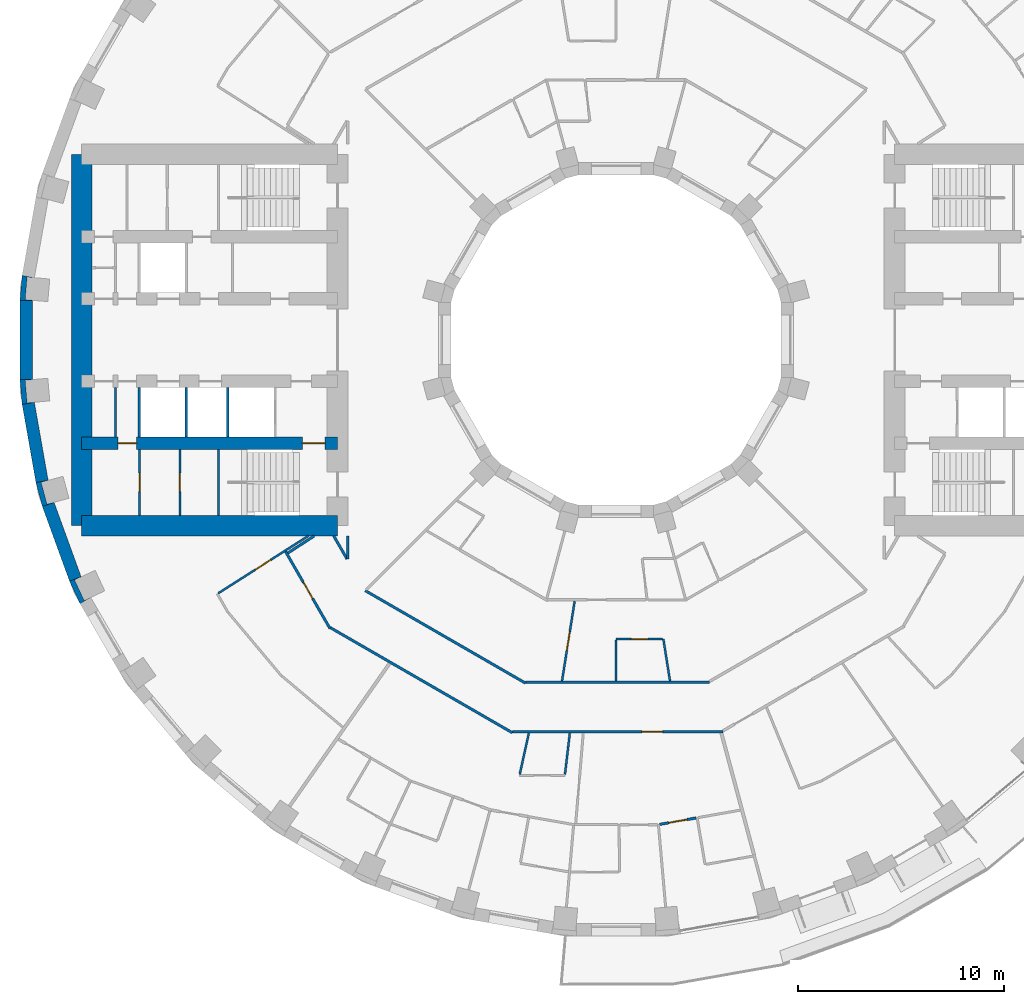
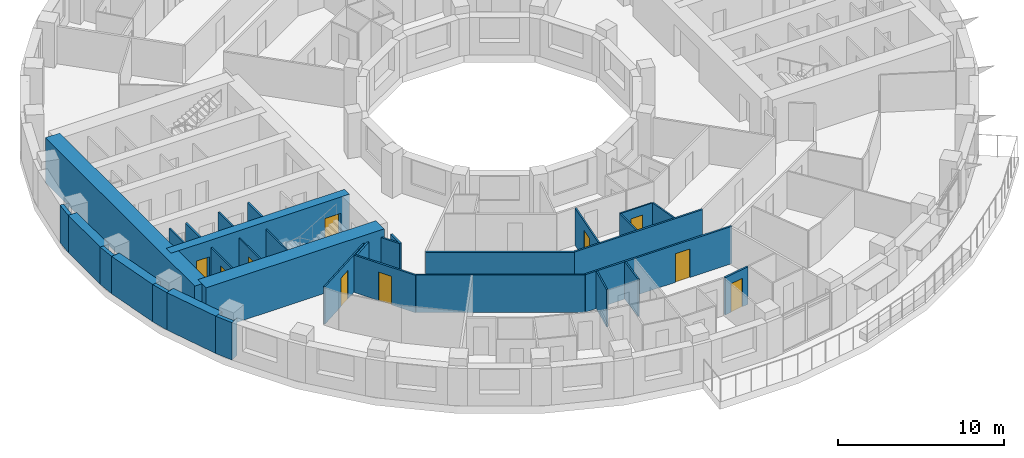
# One storey, part 6 of 16: 33 walls, 10 doors, 10 openings.
"""IFC4 building model written with IfcOpenShell, lengths in metres."""

from ifc_helpers import new_model, si_unit, direction, frame, frame_2d, origin, place, context, subcontext, project, spatial, polyline, rectangle, outline, extrude, material, layer, layer_set, type_object, element, fill, save


model = new_model("IFC4")

# Units and contexts
model_context = context("Model", 3, precision=1e-05, world=origin(), true_north=direction((0.0, 1.0)))
body_context = subcontext(model_context, "Body", "Model", "MODEL_VIEW")
ifc_project = project(units=[si_unit("LENGTHUNIT", "METRE"), si_unit("AREAUNIT", "SQUARE_METRE"), si_unit("VOLUMEUNIT", "CUBIC_METRE"), si_unit("PLANEANGLEUNIT", "RADIAN"), si_unit("MASSUNIT", "GRAM", prefix="KILO")], contexts=[model_context])

# Site, building, storey
site_placement = place(None, origin())
site = spatial("IfcSite", under=ifc_project, at=site_placement, CompositionType="ELEMENT")
building_placement = place(site_placement, origin())
building = spatial("IfcBuilding", under=site, at=building_placement, Name="Saqina Gate Tower", CompositionType="ELEMENT")
storey_placement = place(building_placement, frame((0.0, 0.0, 32.89990234375)))
storey = spatial("IfcBuildingStorey", under=building, at=storey_placement, Name="L08", CompositionType="ELEMENT", Elevation=32.89990234375)

# Walls
ifc_material_1 = material(Name="Brick masonry (red)", Category="masonry")
wall_type_1 = type_object("IfcWallType", Name="BRICK PIER COPING RED", PredefinedType="SOLIDWALL", material=ifc_material_1)
wall_1_placement = place(storey_placement, origin())
element("IfcWall", 1, at=wall_1_placement, inside=storey, type_object=wall_type_1, Name="Pier cap L08 column 18", PredefinedType="SOLIDWALL", context=body_context, shape_type="SweptSolid", body=[
    extrude(outline(polyline([(-28.78466796875, 3.122802734375), (-28.8896484375, 1.9228515625), (-28.28955078125, 1.9228515625), (-28.638671875, 1.95361328125), (-28.54296875, 3.04931640625), (-28.19384765625, 3.018798828125), (-28.78466796875, 3.122802734375)])), origin(), (0.0, 0.0, 1.0), 2.75),
])
wall_2_placement = place(storey_placement, origin())
element("IfcWall", 2, at=wall_2_placement, inside=storey, type_object=wall_type_1, Name="Pier cap L08 column 19", PredefinedType="SOLIDWALL", context=body_context, shape_type="SweptSolid", body=[
    extrude(outline(polyline([(-28.8896484375, -1.9228515625), (-28.78466796875, -3.122802734375), (-28.19384765625, -3.018798828125), (-28.54296875, -3.04931640625), (-28.638671875, -1.95361328125), (-28.28955078125, -1.9228515625), (-28.8896484375, -1.9228515625)])), origin(), (0.0, 0.0, 1.0), 2.75),
])
wall_3_placement = place(storey_placement, origin())
element("IfcWall", 3, at=wall_3_placement, inside=storey, type_object=wall_type_1, Name="Pier cap L08 column 20", PredefinedType="SOLIDWALL", context=body_context, shape_type="SweptSolid", body=[
    extrude(outline(polyline([(-28.11669921875, -6.910400390625), (-27.80517578125, -8.073974609375), (-27.2412109375, -7.86865234375), (-27.57958984375, -7.95947265625), (-27.864501953125, -6.896728515625), (-27.52587890625, -6.80615234375), (-28.11669921875, -6.910400390625)])), origin(), (0.0, 0.0, 1.0), 2.75),
])
wall_4_placement = place(storey_placement, origin())
element("IfcWall", 4, at=wall_4_placement, inside=storey, type_object=wall_type_1, Name="Pier cap L08 column 21", PredefinedType="SOLIDWALL", context=body_context, shape_type="SweptSolid", body=[
    extrude(outline(polyline([(-25.980712890625, -12.779541015625), (-25.4609375, -12.4794921875), (-25.778564453125, -12.627685546875), (-26.243408203125, -11.630615234375), (-25.92578125, -11.482666015625), (-26.48974609375, -11.687744140625), (-25.980712890625, -12.779541015625)])), origin(), (0.0, 0.0, 1.0), 2.75),
])
ifc_material_2 = material(Name="Gypsum board on steel studs", Category="steel")
ifc_layer_1 = layer(ifc_material_2, 0.10009765625)
ifc_layer_set_1 = layer_set([ifc_layer_1], Name="CORE PARTITION")
wall_type_2 = type_object("IfcWallType", Name="CORE PARTITION", PredefinedType="PARTITIONING", material=ifc_layer_set_1)
wall_5_placement = place(storey_placement, frame((-24.260009765625, -4.699951171875, 0.0), z_axis=(0.0, 0.0, 1.0), x_axis=(0.0, 1.0, 0.0)))
element("IfcWall", 5, at=wall_5_placement, inside=storey, type_object=wall_type_2, Name="L08-CP-W09", PredefinedType="PARTITIONING", context=body_context, shape_type="SweptSolid", body=[
    extrude(rectangle(XDim=2.39990234375, YDim=0.10009765625, at=frame_2d((1.199951171875, 0.0))), origin(), (0.0, 0.0, 1.0), 2.75),
])

# Wall, opening, door
wall_6_placement = place(storey_placement, frame((-21.14404296875, -8.5, 0.0), z_axis=(0.0, 0.0, 1.0), x_axis=(0.0, 1.0, 0.0)))
wall_6 = element("IfcWall", 6, at=wall_6_placement, inside=storey, type_object=wall_type_2, Name="L08-CP-W15", PredefinedType="PARTITIONING", context=body_context, shape_type="SweptSolid", body=[
    extrude(rectangle(XDim=3.199951171875, YDim=0.10009765625, at=frame_2d((1.60009765625, 0.0))), origin(), (0.0, 0.0, 1.0), 2.75),
])
opening_1_placement = place(wall_6_placement, frame((1.14990234375, 0.0, 0.0)))
opening_1 = element("IfcOpeningElement", 7, at=opening_1_placement, cuts=wall_6, Name="Opening G01-D134", PredefinedType="OPENING", context=body_context, shape_type="SweptSolid", body=[
    extrude(rectangle(XDim=0.89990234375, YDim=2.10009765625, at=frame_2d((0.449951171875, 1.050048828125))), frame((0.0, 0.06201171875, 0.0), z_axis=(0.0, -1.0, 0.0), x_axis=(1.0, 0.0, 0.0)), (0.0, 0.0, 1.0), 0.1240234375),
])
ifc_material_3 = material(Name="Steel-framed fire door leaf, EI 60", Category="steel")
door_type_1 = type_object("IfcDoorType", Name="SERVICE ROOM DOOR 900", OperationType="SINGLE_SWING_LEFT", PredefinedType="DOOR", material=ifc_material_3)
door_1_placement = place(opening_1_placement, origin())
door_1 = element("IfcDoor", 8, at=door_1_placement, inside=storey, type_object=door_type_1, Name="L08-CD-W31", OperationType="SINGLE_SWING_LEFT", OverallHeight=2.10009765625, OverallWidth=0.89990234375, PredefinedType="DOOR", context=body_context, shape_type="SweptSolid", body=[
    extrude(rectangle(XDim=0.89990234375, YDim=2.10009765625, at=frame_2d((0.449951171875, 1.050048828125))), frame((0.0, 0.02490234375, 0.0), z_axis=(0.0, -1.0, 0.0), x_axis=(1.0, 0.0, 0.0)), (0.0, 0.0, 1.0), 0.050048828125),
])
fill(opening_1, door_1)

wall_7_placement = place(storey_placement, frame((-23.089599609375, -8.5, 0.0), z_axis=(0.0, 0.0, 1.0), x_axis=(0.0, 1.0, 0.0)))
wall_7 = element("IfcWall", 9, at=wall_7_placement, inside=storey, type_object=wall_type_2, Name="L08-CP-W16", PredefinedType="PARTITIONING", context=body_context, shape_type="SweptSolid", body=[
    extrude(rectangle(XDim=3.199951171875, YDim=0.10009765625, at=frame_2d((1.60009765625, 0.0))), origin(), (0.0, 0.0, 1.0), 2.75),
])
opening_2_placement = place(wall_7_placement, frame((1.14990234375, 0.0, 0.0)))
opening_2 = element("IfcOpeningElement", 10, at=opening_2_placement, cuts=wall_7, Name="Opening G01-D133", PredefinedType="OPENING", context=body_context, shape_type="SweptSolid", body=[
    extrude(rectangle(XDim=0.89990234375, YDim=2.10009765625, at=frame_2d((0.449951171875, 1.050048828125))), frame((0.0, 0.06201171875, 0.0), z_axis=(0.0, -1.0, 0.0), x_axis=(1.0, 0.0, 0.0)), (0.0, 0.0, 1.0), 0.1240234375),
])
door_2_placement = place(opening_2_placement, origin())
door_2 = element("IfcDoor", 11, at=door_2_placement, inside=storey, type_object=door_type_1, Name="L08-CD-W30", OperationType="SINGLE_SWING_LEFT", OverallHeight=2.10009765625, OverallWidth=0.89990234375, PredefinedType="DOOR", context=body_context, shape_type="SweptSolid", body=[
    extrude(rectangle(XDim=0.89990234375, YDim=2.10009765625, at=frame_2d((0.449951171875, 1.050048828125))), frame((0.0, 0.02490234375, 0.0), z_axis=(0.0, -1.0, 0.0), x_axis=(1.0, 0.0, 0.0)), (0.0, 0.0, 1.0), 0.050048828125),
])
fill(opening_2, door_2)

# Walls
ifc_material_4 = material(Name="Glazed ceramic tile", Category="ceramic")
ifc_layer_2 = layer(ifc_material_4, 0.60009765625)
ifc_layer_set_2 = layer_set([ifc_layer_2], Name="FW-TILE")
wall_type_3 = type_object("IfcWallType", Name="FW-TILE", PredefinedType="SOLIDWALL", material=ifc_layer_set_2)
wall_8_placement = place(storey_placement, frame((-28.4892578125, -3.07080078125, 0.0), z_axis=(0.0, 0.0, 1.0), x_axis=(0.173687553279, -0.984800809218, 0.0)))
element("IfcWall", 12, at=wall_8_placement, inside=storey, type_object=wall_type_3, Name="Facade wall L08 facet 19", PredefinedType="SOLIDWALL", context=body_context, shape_type="SweptSolid", body=[
    extrude(rectangle(XDim=3.845703125, YDim=0.60009765625, at=frame_2d((1.9228515625, 0.0))), origin(), (0.0, 0.0, 1.0), 2.75),
])
ifc_material_5 = material(Name="Glazed ceramic tile (dark blue)", Category="ceramic")
ifc_layer_3 = layer(ifc_material_5, 0.60009765625)
ifc_layer_set_3 = layer_set([ifc_layer_3], Name="FW-TILE-CB")
wall_type_4 = type_object("IfcWallType", Name="FW-TILE-CB", PredefinedType="SOLIDWALL", material=ifc_layer_set_3)
wall_9_placement = place(storey_placement, frame((-28.589599609375, 1.9228515625, 0.0), z_axis=(0.0, 0.0, 1.0), x_axis=(0.0, -1.0, 0.0)))
element("IfcWall", 13, at=wall_9_placement, inside=storey, type_object=wall_type_4, Name="Facade wall L08 facet 18", PredefinedType="SOLIDWALL", context=body_context, shape_type="SweptSolid", body=[
    extrude(rectangle(XDim=3.845703125, YDim=0.60009765625, at=frame_2d((1.9228515625, 0.0))), origin(), (0.0, 0.0, 1.0), 2.75),
])
ifc_material_6 = material(Name="Glazed ceramic tile (white)", Category="ceramic")
ifc_layer_4 = layer(ifc_material_6, 0.60009765625)
ifc_layer_set_4 = layer_set([ifc_layer_4], Name="FW-TILE-WH")
wall_type_5 = type_object("IfcWallType", Name="FW-TILE-WH", PredefinedType="SOLIDWALL", material=ifc_layer_set_4)
wall_10_placement = place(storey_placement, frame((-27.523193359375, -7.97119140625, 0.0), z_axis=(0.0, 0.0, 1.0), x_axis=(0.342028474173, -0.939689588564, 0.0)))
element("IfcWall", 14, at=wall_10_placement, inside=storey, type_object=wall_type_5, Name="Facade wall L08 facet 20", PredefinedType="SOLIDWALL", context=body_context, shape_type="SweptSolid", body=[
    extrude(rectangle(XDim=3.845947265625, YDim=0.60009765625, at=frame_2d((1.9228515625, 0.0))), origin(), (0.0, 0.0, 1.0), 2.75),
])
ifc_material_7 = material(Name="Gypsum board on steel studs, 100 mm", Category="steel")
ifc_layer_5 = layer(ifc_material_7, 0.10009765625)
ifc_layer_set_5 = layer_set([ifc_layer_5], Name="PARTITION 100")
wall_type_6 = type_object("IfcWallType", Name="PARTITION 100", PredefinedType="PARTITIONING", material=ifc_layer_set_5)
wall_11_placement = place(storey_placement, frame((2.294921875, -14.5, 0.0), z_axis=(0.0, 0.0, 1.0), x_axis=(0.156163049852, -0.987731290312, 0.0)))
element("IfcWall", 15, at=wall_11_placement, inside=storey, type_object=wall_type_6, Name="PARTITION PW3-08", PredefinedType="PARTITIONING", context=body_context, shape_type="SweptSolid", body=[
    extrude(rectangle(XDim=2.063720703125, YDim=0.10009765625, at=frame_2d((1.03173828125, 0.0))), origin(), (0.0, 0.0, 1.0), 2.75),
])

# Wall, opening, door
wall_12_placement = place(storey_placement, frame((0.0, -14.5, 0.0), z_axis=(0.0, 0.0, 1.0), x_axis=(1.0, 0.0, 0.0)))
wall_12 = element("IfcWall", 16, at=wall_12_placement, inside=storey, type_object=wall_type_6, Name="PARTITION PW3-58", PredefinedType="PARTITIONING", context=body_context, shape_type="SweptSolid", body=[
    extrude(rectangle(XDim=2.2451171875, YDim=0.10009765625, at=frame_2d((1.12255859375, 0.0))), origin(), (0.0, 0.0, 1.0), 2.75),
])
opening_3_placement = place(wall_12_placement, frame((0.74755859375, 0.0, 0.0)))
opening_3 = element("IfcOpeningElement", 17, at=opening_3_placement, cuts=wall_12, Name="Opening G01-D56", PredefinedType="OPENING", context=body_context, shape_type="SweptSolid", body=[
    extrude(rectangle(XDim=0.800048828125, YDim=2.10009765625, at=frame_2d((0.39990234375, 1.050048828125))), frame((0.0, 0.06201171875, 0.0), z_axis=(0.0, -1.0, 0.0), x_axis=(1.0, 0.0, 0.0)), (0.0, 0.0, 1.0), 0.1240234375),
])
ifc_material_8 = material(Name="Timber door leaf, 800 mm", Category="wood")
door_type_2 = type_object("IfcDoorType", Name="DOOR 800 TIMBER", OperationType="SINGLE_SWING_LEFT", PredefinedType="DOOR", material=ifc_material_8)
door_3_placement = place(opening_3_placement, origin())
door_3 = element("IfcDoor", 18, at=door_3_placement, inside=storey, type_object=door_type_2, Name="DOOR G01-D56", OperationType="SINGLE_SWING_RIGHT", OverallHeight=2.10009765625, OverallWidth=0.800048828125, PredefinedType="DOOR", context=body_context, shape_type="SweptSolid", body=[
    extrude(rectangle(XDim=0.800048828125, YDim=2.10009765625, at=frame_2d((0.39990234375, 1.050048828125))), frame((0.0, 0.02490234375, 0.0), z_axis=(0.0, -1.0, 0.0), x_axis=(1.0, 0.0, 0.0)), (0.0, 0.0, 1.0), 0.050048828125),
])
fill(opening_3, door_3)

wall_13_placement = place(storey_placement, frame((-19.28271484375, -12.280029296875, 0.0), z_axis=(0.0, 0.0, 1.0), x_axis=(0.843445789111, 0.537214296935, 0.0)))
wall_13 = element("IfcWall", 19, at=wall_13_placement, inside=storey, type_object=wall_type_6, Name="PARTITION PW3-84", PredefinedType="PARTITIONING", context=body_context, shape_type="SweptSolid", body=[
    extrude(rectangle(XDim=5.1748046875, YDim=0.10009765625, at=frame_2d((2.58740234375, 0.0))), origin(), (0.0, 0.0, 1.0), 2.75),
])
opening_4_placement = place(wall_13_placement, frame((2.112548828125, 0.0, 0.0)))
opening_4 = element("IfcOpeningElement", 20, at=opening_4_placement, cuts=wall_13, Name="Opening G01-D40", PredefinedType="OPENING", context=body_context, shape_type="SweptSolid", body=[
    extrude(rectangle(XDim=0.89990234375, YDim=2.10009765625, at=frame_2d((0.449951171875, 1.050048828125))), frame((0.0, 0.06201171875, 0.0), z_axis=(0.0, -1.0, 0.0), x_axis=(1.0, 0.0, 0.0)), (0.0, 0.0, 1.0), 0.1240234375),
])
ifc_material_9 = material(Name="Timber door leaf, 900 mm", Category="wood")
door_type_3 = type_object("IfcDoorType", Name="DOOR 900 TIMBER", OperationType="SINGLE_SWING_LEFT", PredefinedType="DOOR", material=ifc_material_9)
door_4_placement = place(opening_4_placement, origin())
door_4 = element("IfcDoor", 21, at=door_4_placement, inside=storey, type_object=door_type_3, Name="DOOR G01-D40", OperationType="SINGLE_SWING_LEFT", OverallHeight=2.10009765625, OverallWidth=0.89990234375, PredefinedType="DOOR", context=body_context, shape_type="SweptSolid", body=[
    extrude(rectangle(XDim=0.89990234375, YDim=2.10009765625, at=frame_2d((0.449951171875, 1.050048828125))), frame((0.0, 0.02490234375, 0.0), z_axis=(0.0, -1.0, 0.0), x_axis=(1.0, 0.0, 0.0)), (0.0, 0.0, 1.0), 0.050048828125),
])
fill(opening_4, door_4)

# Wall
wall_14_placement = place(storey_placement, frame((-4.667236328125, -21.05126953125, 0.0), z_axis=(0.0, 0.0, 1.0), x_axis=(0.216638806782, 0.976251825809, 0.0)))
element("IfcWall", 22, at=wall_14_placement, inside=storey, type_object=wall_type_6, Name="PARTITION PW3-111", PredefinedType="PARTITIONING", context=body_context, shape_type="SweptSolid", body=[
    extrude(rectangle(XDim=2.03857421875, YDim=0.10009765625, at=frame_2d((1.019287109375, 0.0))), origin(), (0.0, 0.0, 1.0), 2.75),
])

# Wall, opening, door
wall_15_placement = place(storey_placement, frame((-2.619140625, -16.538330078125, 0.0), z_axis=(0.0, 0.0, 1.0), x_axis=(0.15625323836, 0.987717027039, 0.0)))
wall_15 = element("IfcWall", 23, at=wall_15_placement, inside=storey, type_object=wall_type_6, Name="PARTITION PW3-114", PredefinedType="PARTITIONING", context=body_context, shape_type="SweptSolid", body=[
    extrude(rectangle(XDim=3.9248046875, YDim=0.10009765625, at=frame_2d((1.96240234375, 0.0))), origin(), (0.0, 0.0, 1.0), 2.75),
])
opening_5_placement = place(wall_15_placement, frame((1.512451171875, 0.0, 0.0)))
opening_5 = element("IfcOpeningElement", 24, at=opening_5_placement, cuts=wall_15, Name="Opening G01-D50", PredefinedType="OPENING", context=body_context, shape_type="SweptSolid", body=[
    extrude(rectangle(XDim=0.89990234375, YDim=2.10009765625, at=frame_2d((0.449951171875, 1.050048828125))), frame((0.0, 0.06201171875, 0.0), z_axis=(0.0, -1.0, 0.0), x_axis=(1.0, 0.0, 0.0)), (0.0, 0.0, 1.0), 0.1240234375),
])
door_5_placement = place(opening_5_placement, frame((0.89990234375, 0.0, 0.0), z_axis=(0.0, 0.0, 1.0), x_axis=(-1.0, 0.0, 0.0)))
door_5 = element("IfcDoor", 25, at=door_5_placement, inside=storey, type_object=door_type_3, Name="DOOR G01-D50", OperationType="SINGLE_SWING_LEFT", OverallHeight=2.10009765625, OverallWidth=0.89990234375, PredefinedType="DOOR", context=body_context, shape_type="SweptSolid", body=[
    extrude(rectangle(XDim=0.89990234375, YDim=2.10009765625, at=frame_2d((0.449951171875, 1.050048828125))), frame((0.0, 0.02490234375, 0.0), z_axis=(0.0, -1.0, 0.0), x_axis=(1.0, 0.0, 0.0)), (0.0, 0.0, 1.0), 0.050048828125),
])
fill(opening_5, door_5)

# Walls
wall_16_placement = place(storey_placement, frame((-2.47412109375, -21.05029296875, 0.0), z_axis=(0.0, 0.0, 1.0), x_axis=(0.116827096483, 0.993152269054, 0.0)))
element("IfcWall", 26, at=wall_16_placement, inside=storey, type_object=wall_type_6, Name="PARTITION PW3-116", PredefinedType="PARTITIONING", context=body_context, shape_type="SweptSolid", body=[
    extrude(rectangle(XDim=2.001953125, YDim=0.10009765625, at=frame_2d((1.0009765625, 0.0))), origin(), (0.0, 0.0, 1.0), 2.75),
])
wall_17_placement = place(storey_placement, frame((0.0, -16.53759765625, 0.0), z_axis=(0.0, 0.0, 1.0), x_axis=(0.0, 1.0, 0.0)))
element("IfcWall", 27, at=wall_17_placement, inside=storey, type_object=wall_type_6, Name="PARTITION PW3-120", PredefinedType="PARTITIONING", context=body_context, shape_type="SweptSolid", body=[
    extrude(rectangle(XDim=1.987548828125, YDim=0.10009765625, at=frame_2d((0.99365234375, 0.0))), origin(), (0.0, 0.0, 1.0), 2.75),
])

# Wall, opening, door
ifc_material_10 = material(Name="Gypsum board on steel studs, 125 mm, fire rated", Category="steel")
ifc_layer_6 = layer(ifc_material_10, 0.125)
ifc_layer_set_6 = layer_set([ifc_layer_6], Name="PARTITION EI 30 125")
wall_type_7 = type_object("IfcWallType", Name="PARTITION EI 30 125", PredefinedType="PARTITIONING", material=ifc_layer_set_6)
wall_18_placement = place(storey_placement, frame((-16.0166015625, -10.259033203125, 0.0), z_axis=(0.0, 0.0, 1.0), x_axis=(0.50007738471, -0.865980721091, 0.0)))
wall_18 = element("IfcWall", 28, at=wall_18_placement, inside=storey, type_object=wall_type_7, Name="PARTITION PW1-02", PredefinedType="PARTITIONING", context=body_context, shape_type="SweptSolid", body=[
    extrude(rectangle(XDim=4.286865234375, YDim=0.125, at=frame_2d((2.1435546875, 0.0))), origin(), (0.0, 0.0, 1.0), 2.75),
])
opening_6_placement = place(wall_18_placement, frame((1.716796875, 0.0, 0.0)))
opening_6 = element("IfcOpeningElement", 29, at=opening_6_placement, cuts=wall_18, Name="Opening G01-D41", PredefinedType="OPENING", context=body_context, shape_type="SweptSolid", body=[
    extrude(rectangle(XDim=0.89990234375, YDim=2.10009765625, at=frame_2d((0.449951171875, 1.050048828125))), frame((0.0, 0.074462890625, 0.0), z_axis=(0.0, -1.0, 0.0), x_axis=(1.0, 0.0, 0.0)), (0.0, 0.0, 1.0), 0.14892578125),
])
ifc_material_11 = material(Name="Fire door leaf EI 30, 900 mm")
door_type_4 = type_object("IfcDoorType", Name="DOOR 900 EI 30", OperationType="SINGLE_SWING_LEFT", PredefinedType="DOOR", material=ifc_material_11)
door_6_placement = place(opening_6_placement, frame((0.89990234375, 0.0, 0.0), z_axis=(0.0, 0.0, 1.0), x_axis=(-1.0, 0.0, 0.0)))
door_6 = element("IfcDoor", 30, at=door_6_placement, inside=storey, type_object=door_type_4, Name="DOOR G01-D41", OperationType="SINGLE_SWING_LEFT", OverallHeight=2.10009765625, OverallWidth=0.89990234375, PredefinedType="DOOR", context=body_context, shape_type="SweptSolid", body=[
    extrude(rectangle(XDim=0.89990234375, YDim=2.10009765625, at=frame_2d((0.449951171875, 1.050048828125))), frame((0.0, 0.02490234375, 0.0), z_axis=(0.0, -1.0, 0.0), x_axis=(1.0, 0.0, 0.0)), (0.0, 0.0, 1.0), 0.050048828125),
])
fill(opening_6, door_6)

# Walls
wall_19_placement = place(storey_placement, frame((-13.68310546875, -9.5, 0.0), z_axis=(0.0, 0.0, 1.0), x_axis=(0.500018234033, -0.866014876105, 0.0)))
element("IfcWall", 31, at=wall_19_placement, inside=storey, type_object=wall_type_7, Name="PARTITION PW1-03", PredefinedType="PARTITIONING", context=body_context, shape_type="SweptSolid", body=[
    extrude(rectangle(XDim=1.2861328125, YDim=0.125, at=frame_2d((0.64306640625, 0.0))), origin(), (0.0, 0.0, 1.0), 2.75),
])
wall_20_placement = place(storey_placement, frame((-13.85498046875, -13.940185546875, 0.0), z_axis=(0.0, 0.0, 1.0), x_axis=(0.866024825845, -0.50000100102, 0.0)))
element("IfcWall", 32, at=wall_20_placement, inside=storey, type_object=wall_type_7, Name="PARTITION PW1-14", PredefinedType="PARTITIONING", context=body_context, shape_type="SweptSolid", body=[
    extrude(rectangle(XDim=10.19189453125, YDim=0.125, at=frame_2d((5.095947265625, 0.0))), origin(), (0.0, 0.0, 1.0), 2.75),
])
wall_21_placement = place(storey_placement, frame((-12.152099609375, -12.152099609375, 0.0), z_axis=(0.0, 0.0, 1.0), x_axis=(0.866033263559, -0.499986386223, 0.0)))
element("IfcWall", 33, at=wall_21_placement, inside=storey, type_object=wall_type_7, Name="PARTITION PW1-15", PredefinedType="PARTITIONING", context=body_context, shape_type="SweptSolid", body=[
    extrude(rectangle(XDim=8.968017578125, YDim=0.125, at=frame_2d((4.48388671875, 0.0))), origin(), (0.0, 0.0, 1.0), 2.75),
])

# Wall, opening, door
wall_22_placement = place(storey_placement, frame((-5.028564453125, -19.0, 0.0), z_axis=(0.0, 0.0, 1.0), x_axis=(1.0, 0.0, 0.0)))
wall_22 = element("IfcWall", 34, at=wall_22_placement, inside=storey, type_object=wall_type_7, Name="PARTITION PW1-26", PredefinedType="PARTITIONING", context=body_context, shape_type="SweptSolid", body=[
    extrude(rectangle(XDim=10.2060546875, YDim=0.125, at=frame_2d((5.10302734375, 0.0))), origin(), (0.0, 0.0, 1.0), 2.75),
])
opening_7_placement = place(wall_22_placement, frame((6.281494140625, 0.0, 0.0)))
opening_7 = element("IfcOpeningElement", 35, at=opening_7_placement, cuts=wall_22, Name="Opening G01-D57", PredefinedType="OPENING", context=body_context, shape_type="SweptSolid", body=[
    extrude(rectangle(XDim=1.0, YDim=2.10009765625, at=frame_2d((0.5, 1.050048828125))), frame((0.0, 0.074462890625, 0.0), z_axis=(0.0, -1.0, 0.0), x_axis=(1.0, 0.0, 0.0)), (0.0, 0.0, 1.0), 0.14892578125),
])
ifc_material_12 = material(Name="Fire door leaf EI 30, 1000 mm")
door_type_5 = type_object("IfcDoorType", Name="DOOR 1000 EI 30", OperationType="SINGLE_SWING_LEFT", PredefinedType="DOOR", material=ifc_material_12)
door_7_placement = place(opening_7_placement, frame((1.0, 0.0, 0.0), z_axis=(0.0, 0.0, 1.0), x_axis=(-1.0, 0.0, 0.0)))
door_7 = element("IfcDoor", 36, at=door_7_placement, inside=storey, type_object=door_type_5, Name="DOOR G01-D57", OperationType="SINGLE_SWING_LEFT", OverallHeight=2.10009765625, OverallWidth=1.0, PredefinedType="DOOR", context=body_context, shape_type="SweptSolid", body=[
    extrude(rectangle(XDim=1.0, YDim=2.10009765625, at=frame_2d((0.5, 1.050048828125))), frame((0.0, 0.02490234375, 0.0), z_axis=(0.0, -1.0, 0.0), x_axis=(1.0, 0.0, 0.0)), (0.0, 0.0, 1.0), 0.050048828125),
])
fill(opening_7, door_7)

# Wall
wall_23_placement = place(storey_placement, frame((-4.385498046875, -16.60009765625, 0.0), z_axis=(0.0, 0.0, 1.0), x_axis=(1.0, 0.0, 0.0)))
element("IfcWall", 37, at=wall_23_placement, inside=storey, type_object=wall_type_7, Name="PARTITION PW1-27", PredefinedType="PARTITIONING", context=body_context, shape_type="SweptSolid", body=[
    extrude(rectangle(XDim=8.90576171875, YDim=0.125, at=frame_2d((4.452880859375, 0.0))), origin(), (0.0, 0.0, 1.0), 2.75),
])

# Wall, opening, door
wall_24_placement = place(storey_placement, frame((2.116455078125, -23.479248046875, 0.0), z_axis=(0.0, 0.0, 1.0), x_axis=(0.984784929821, 0.173777564715, 0.0)))
wall_24 = element("IfcWall", 38, at=wall_24_placement, inside=storey, type_object=wall_type_7, Name="PARTITION PW1-33", PredefinedType="PARTITIONING", context=body_context, shape_type="SweptSolid", body=[
    extrude(rectangle(XDim=1.792724609375, YDim=0.125, at=frame_2d((0.896484375, 0.0))), origin(), (0.0, 0.0, 1.0), 2.75),
])
opening_8_placement = place(wall_24_placement, frame((0.43994140625, 0.0, 0.0)))
opening_8 = element("IfcOpeningElement", 39, at=opening_8_placement, cuts=wall_24, Name="Opening G01-D59", PredefinedType="OPENING", context=body_context, shape_type="SweptSolid", body=[
    extrude(rectangle(XDim=0.89990234375, YDim=2.10009765625, at=frame_2d((0.449951171875, 1.050048828125))), frame((0.0, 0.074462890625, 0.0), z_axis=(0.0, -1.0, 0.0), x_axis=(1.0, 0.0, 0.0)), (0.0, 0.0, 1.0), 0.14892578125),
])
door_8_placement = place(opening_8_placement, origin())
door_8 = element("IfcDoor", 40, at=door_8_placement, inside=storey, type_object=door_type_4, Name="DOOR G01-D59", OperationType="SINGLE_SWING_LEFT", OverallHeight=2.10009765625, OverallWidth=0.89990234375, PredefinedType="DOOR", context=body_context, shape_type="SweptSolid", body=[
    extrude(rectangle(XDim=0.89990234375, YDim=2.10009765625, at=frame_2d((0.449951171875, 1.050048828125))), frame((0.0, 0.02490234375, 0.0), z_axis=(0.0, -1.0, 0.0), x_axis=(1.0, 0.0, 0.0)), (0.0, 0.0, 1.0), 0.050048828125),
])
fill(opening_8, door_8)

# Walls
wall_25_placement = place(storey_placement, frame((-15.904541015625, -10.327880859375, 0.0), z_axis=(0.0, 0.0, 1.0), x_axis=(0.83882853689, 0.544395706908, 0.0)))
element("IfcWall", 41, at=wall_25_placement, inside=storey, type_object=wall_type_7, Name="PARTITION PW1-44", PredefinedType="PARTITIONING", context=body_context, shape_type="SweptSolid", body=[
    extrude(rectangle(XDim=1.520751953125, YDim=0.125, at=frame_2d((0.76025390625, 0.0))), origin(), (0.0, 0.0, 1.0), 2.75),
])
wall_26_placement = place(storey_placement, frame((-13.0, -10.62060546875, 0.0), z_axis=(0.0, 0.0, 1.0), x_axis=(0.0, 1.0, 0.0)))
element("IfcWall", 42, at=wall_26_placement, inside=storey, type_object=wall_type_7, Name="PARTITION PW1-55", PredefinedType="PARTITIONING", context=body_context, shape_type="SweptSolid", body=[
    extrude(rectangle(XDim=1.12060546875, YDim=0.125, at=frame_2d((0.560302734375, 0.0))), origin(), (0.0, 0.0, 1.0), 2.75),
])
ifc_material_13 = material(Name="Autoclaved aerated concrete block", Category="concrete")
ifc_layer_7 = layer(ifc_material_13, 0.1201171875)
ifc_layer_set_7 = layer_set([ifc_layer_7], Name="SHAFT PARTITION")
wall_type_8 = type_object("IfcWallType", Name="SHAFT PARTITION", PredefinedType="PARTITIONING", material=ifc_layer_set_7)
for number, where, z_axis, x_axis, name in (
    (43, (-18.81005859375, -4.699951171875, 0.0), (0.0, 0.0, 1.0), (0.0, 1.0, 0.0), "L08-CP-W06"),
    (44, (-20.840087890625, -4.699951171875, 0.0), (0.0, 0.0, 1.0), (0.0, 1.0, 0.0), "L08-CP-W07"),
    (45, (-23.1201171875, -4.699951171875, 0.0), (0.0, 0.0, 1.0), (0.0, 1.0, 0.0), "L08-CP-W08"),
):
    element("IfcWall", number, at=place(storey_placement, frame(where, z_axis=z_axis, x_axis=x_axis)), inside=storey, type_object=wall_type_8, Name=name, PredefinedType="PARTITIONING", context=body_context, shape_type="SweptSolid", body=[
        extrude(rectangle(XDim=2.39990234375, YDim=0.1201171875, at=frame_2d((1.199951171875, 0.0))), origin(), (0.0, 0.0, 1.0), 2.75),
    ])
ifc_material_14 = material(Name="Autoclaved aerated concrete block", Category="concrete")
ifc_layer_8 = layer(ifc_material_14, 0.10009765625)
ifc_layer_set_8 = layer_set([ifc_layer_8], Name="STAIR ENCLOSURE WALL")
wall_type_9 = type_object("IfcWallType", Name="STAIR ENCLOSURE WALL", PredefinedType="PARTITIONING", material=ifc_layer_set_8)
wall_27_placement = place(storey_placement, frame((-19.27001953125, -8.5, 0.0), z_axis=(0.0, 0.0, 1.0), x_axis=(0.0, 1.0, 0.0)))
element("IfcWall", 46, at=wall_27_placement, inside=storey, type_object=wall_type_9, Name="L08-CP-W14", PredefinedType="PARTITIONING", context=body_context, shape_type="SweptSolid", body=[
    extrude(rectangle(XDim=3.199951171875, YDim=0.10009765625, at=frame_2d((1.60009765625, 0.0))), origin(), (0.0, 0.0, 1.0), 2.75),
])

# Wall, openings, doors
ifc_material_15 = material(Name="Concrete C70/85", Category="concrete")
ifc_layer_9 = layer(ifc_material_15, 0.60009765625)
ifc_layer_set_9 = layer_set([ifc_layer_9], Name="Concrete C70/85")
wall_type_10 = type_object("IfcWallType", Name="STR-CORE WALL-A-I", PredefinedType="SHEAR", material=ifc_layer_set_9)
wall_28_placement = place(storey_placement, frame((-13.5, -5.0, 0.0), z_axis=(0.0, 0.0, 1.0), x_axis=(-1.0, 0.0, 0.0)))
wall_28 = element("IfcWall", 47, at=wall_28_placement, inside=storey, type_object=wall_type_10, Name="CORE WALL L08 W-X2", PredefinedType="SHEAR", context=body_context, shape_type="SweptSolid", body=[
    extrude(rectangle(XDim=12.39990234375, YDim=0.60009765625, at=frame_2d((6.199951171875, 0.0))), origin(), (0.0, 0.0, 1.0), 3.300048828125),
])
opening_9_placement = place(wall_28_placement, frame((9.739990234375, 0.0, 0.0)))
opening_9 = element("IfcOpeningElement", 48, at=opening_9_placement, cuts=wall_28, Name="Opening G01-D135", PredefinedType="OPENING", context=body_context, shape_type="SweptSolid", body=[
    extrude(rectangle(XDim=0.89990234375, YDim=2.10009765625, at=frame_2d((0.449951171875, 1.050048828125))), frame((0.0, 0.31201171875, 0.0), z_axis=(0.0, -1.0, 0.0), x_axis=(1.0, 0.0, 0.0)), (0.0, 0.0, 1.0), 0.6240234375),
])
opening_10_placement = place(wall_28_placement, frame((0.60009765625, 0.0, 0.0)))
opening_10 = element("IfcOpeningElement", 49, at=opening_10_placement, cuts=wall_28, Name="Opening G01-D122", PredefinedType="OPENING", context=body_context, shape_type="SweptSolid", body=[
    extrude(rectangle(XDim=1.10009765625, YDim=2.10009765625, at=frame_2d((0.550048828125, 1.050048828125))), frame((0.0, 0.31201171875, 0.0), z_axis=(0.0, -1.0, 0.0), x_axis=(1.0, 0.0, 0.0)), (0.0, 0.0, 1.0), 0.6240234375),
])
ifc_material_16 = material(Name="Steel", Category="steel")
door_type_6 = type_object("IfcDoorType", Name="FIRE LOBBY DOOR EI 60 WIDE", OperationType="SINGLE_SWING_LEFT", PredefinedType="DOOR", material=ifc_material_16)
door_9_placement = place(opening_10_placement, origin())
door_9 = element("IfcDoor", 50, at=door_9_placement, inside=storey, type_object=door_type_6, Name="L08-CD-W33", OperationType="SINGLE_SWING_LEFT", OverallHeight=2.10009765625, OverallWidth=1.10009765625, PredefinedType="DOOR", context=body_context, shape_type="SweptSolid", body=[
    extrude(rectangle(XDim=1.10009765625, YDim=2.10009765625, at=frame_2d((0.550048828125, 1.050048828125))), frame((0.0, 0.02490234375, 0.0), z_axis=(0.0, -1.0, 0.0), x_axis=(1.0, 0.0, 0.0)), (0.0, 0.0, 1.0), 0.050048828125),
])
fill(opening_10, door_9)
door_10_placement = place(opening_9_placement, origin())
door_10 = element("IfcDoor", 51, at=door_10_placement, inside=storey, type_object=door_type_1, Name="L08-CD-W32", OperationType="SINGLE_SWING_LEFT", OverallHeight=2.10009765625, OverallWidth=0.89990234375, PredefinedType="DOOR", context=body_context, shape_type="SweptSolid", body=[
    extrude(rectangle(XDim=0.89990234375, YDim=2.10009765625, at=frame_2d((0.449951171875, 1.050048828125))), frame((0.0, 0.02490234375, 0.0), z_axis=(0.0, -1.0, 0.0), x_axis=(1.0, 0.0, 0.0)), (0.0, 0.0, 1.0), 0.050048828125),
])
fill(opening_9, door_10)

# Walls
ifc_material_17 = material(Name="Concrete C70/85", Category="concrete")
ifc_layer_10 = layer(ifc_material_17, 1.0)
ifc_layer_set_10 = layer_set([ifc_layer_10], Name="Concrete C70/85")
wall_type_11 = type_object("IfcWallType", Name="STR-CORE WALL-A-O", PredefinedType="SHEAR", material=ifc_layer_set_10)
wall_29_placement = place(storey_placement, frame((-25.89990234375, -9.0, 0.0), z_axis=(0.0, 0.0, 1.0), x_axis=(0.0, 1.0, 0.0)))
element("IfcWall", 52, at=wall_29_placement, inside=storey, type_object=wall_type_11, Name="CORE WALL L08 W-W2", PredefinedType="SHEAR", context=body_context, shape_type="SweptSolid", body=[
    extrude(rectangle(XDim=18.0, YDim=1.0, at=frame_2d((9.0, 0.0))), origin(), (0.0, 0.0, 1.0), 3.300048828125),
])
wall_30_placement = place(storey_placement, frame((-13.5, -9.0, 0.0), z_axis=(0.0, 0.0, 1.0), x_axis=(-1.0, 0.0, 0.0)))
element("IfcWall", 53, at=wall_30_placement, inside=storey, type_object=wall_type_11, Name="CORE WALL L08 W-SE", PredefinedType="SHEAR", context=body_context, shape_type="SweptSolid", body=[
    extrude(rectangle(XDim=12.39990234375, YDim=1.0, at=frame_2d((6.199951171875, 0.0))), origin(), (0.0, 0.0, 1.0), 3.300048828125),
])

save(model, "model.ifc")
